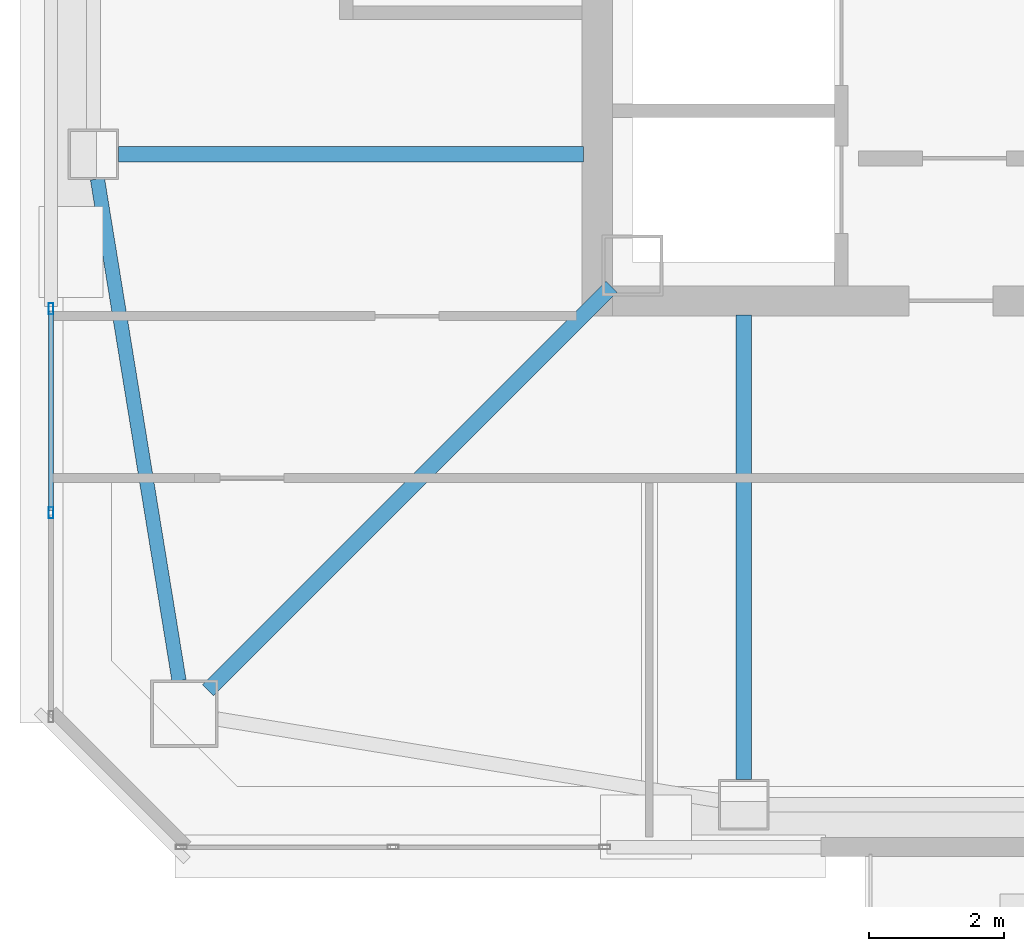
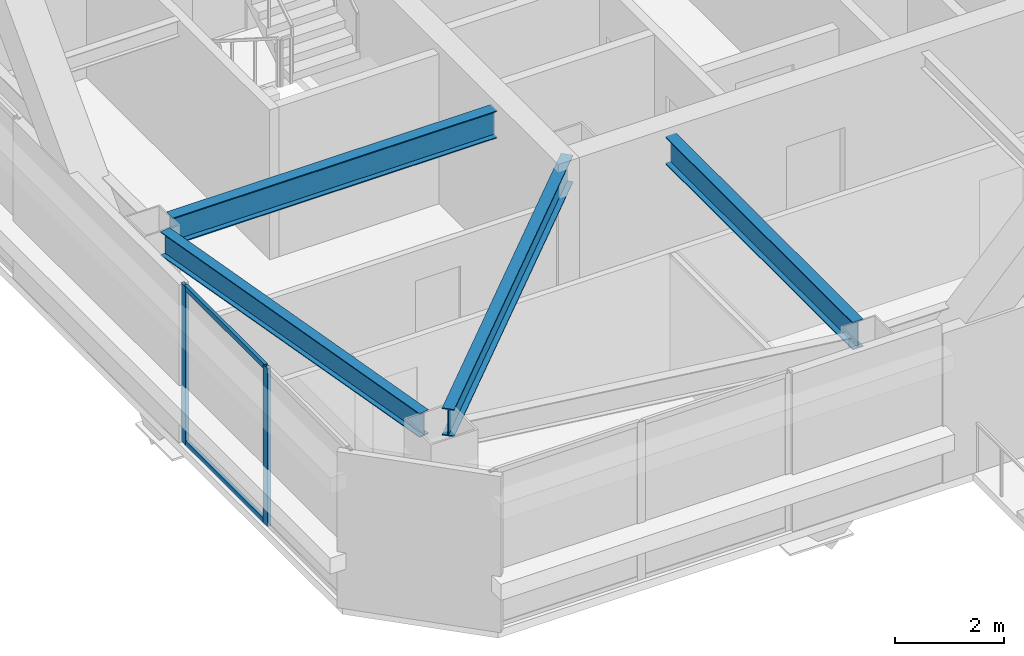
# One storey, part 5 of 39: 4 beams, 4 members, 1 element without a shape of its own.
"""IFC4 building model written with IfcOpenShell, lengths in metres."""

from ifc_helpers import new_model, si_unit, direction, frame, origin, origin_2d, place, context, subcontext, project, spatial, hollow_rectangle, i_section, extrude, material, material_profile, profile_set, type_object, element, aggregate, save


model = new_model("IFC4")

# Units and contexts
model_context = context("Model", 3, precision=1e-05, world=origin(), true_north=direction((0.0, 1.0)))
body_context = subcontext(model_context, "Body", "Model", "MODEL_VIEW")
ifc_project = project(units=[si_unit("LENGTHUNIT", "METRE"), si_unit("AREAUNIT", "SQUARE_METRE"), si_unit("VOLUMEUNIT", "CUBIC_METRE"), si_unit("PLANEANGLEUNIT", "RADIAN"), si_unit("MASSUNIT", "GRAM", prefix="KILO")], contexts=[model_context])

# Site, building, storey
site_placement = place(None, origin())
site = spatial("IfcSite", under=ifc_project, at=site_placement, CompositionType="ELEMENT")
building_placement = place(site_placement, origin())
building = spatial("IfcBuilding", under=site, at=building_placement, Name="Tashvorn Skyway Center", CompositionType="ELEMENT")
storey_placement = place(building_placement, frame((0.0, 0.0, 239.699951171875)))
storey = spatial("IfcBuildingStorey", under=building, at=storey_placement, Name="L65", CompositionType="ELEMENT", Elevation=239.699951171875)

# Beams
ifc_material_1 = material(Name="Steel ASTM A992 Grade 50", Category="steel")
ifc_material_profile_1 = material_profile(ifc_material_1, i_section(OverallWidth=0.22998046875, OverallDepth=0.616943359375, WebThickness=0.01318359375, FlangeThickness=0.022216796875, at=origin_2d()), Name="W24X94")
ifc_profile_set_1 = profile_set([ifc_material_profile_1], Name="Steel ASTM A992 Grade 50")
beam_type_1 = type_object("IfcBeamType", Name="BM-BEAM-W24X94", PredefinedType="BEAM", material=ifc_profile_set_1)
beam_1_placement = place(storey_placement, frame((28.64990234375, 18.64990234375, 3.0615234375), z_axis=(0.707106781187, 0.707106781187, 0.0), x_axis=(-0.707106781187, 0.707106781187, 0.0)))
element("IfcBeam", 1, at=beam_1_placement, inside=storey, type_object=beam_type_1, Name="Tower 1 L65 Primary Floor Girder MC-SW", PredefinedType="BEAM", context=body_context, shape_type="SweptSolid", body=[
    extrude(i_section(OverallWidth=0.22998046875, OverallDepth=0.616943359375, WebThickness=0.01318359375, FlangeThickness=0.022216796875, at=origin_2d()), origin(), (0.0, 0.0, 1.0), 8.464599609375),
])
for number, where, z_axis, x_axis, name in (
    (2, (36.60009765625, 17.320068359375, 3.0615234375), (0.0, 1.0, 0.0), (-1.0, 0.0, 0.0), "Tower 1 L65 Primary Floor Girder FC-S1"),
    (3, (27.320068359375, 26.60009765625, 3.0615234375), (1.0, 0.0, 0.0), (0.0, 1.0, 0.0), "Tower 1 L65 Primary Floor Girder FC-W2"),
):
    element("IfcBeam", number, at=place(storey_placement, frame(where, z_axis=z_axis, x_axis=x_axis)), inside=storey, type_object=beam_type_1, Name=name, PredefinedType="BEAM", context=body_context, shape_type="SweptSolid", body=[
        extrude(i_section(OverallWidth=0.22998046875, OverallDepth=0.616943359375, WebThickness=0.01318359375, FlangeThickness=0.022216796875, at=origin_2d()), origin(), (0.0, 0.0, 1.0), 6.89990234375),
    ])
ifc_material_profile_2 = material_profile(ifc_material_1, i_section(OverallWidth=0.2109375, OverallDepth=0.5390625, WebThickness=0.01171875, FlangeThickness=0.018798828125, at=origin_2d()), Name="W21X73")
ifc_profile_set_2 = profile_set([ifc_material_profile_2], Name="Steel ASTM A992 Grade 50")
beam_type_2 = type_object("IfcBeamType", Name="BM-SPANDREL-W21X73", PredefinedType="SPANDREL", material=ifc_profile_set_2)
beam_2_placement = place(storey_placement, frame((27.009521484375, 26.23486328125, 3.1005859375), z_axis=(0.160514302677, -0.987033514444, 0.0), x_axis=(0.987033514444, 0.160514302677, 0.0)))
element("IfcBeam", 4, at=beam_2_placement, inside=storey, type_object=beam_type_2, Name="Tower 1 L65 Spandrel Beam 12", PredefinedType="SPANDREL", context=body_context, shape_type="SweptSolid", body=[
    extrude(i_section(OverallWidth=0.2109375, OverallDepth=0.5390625, WebThickness=0.01171875, FlangeThickness=0.018798828125, at=origin_2d()), origin(), (0.0, 0.0, 1.0), 7.544189453125),
])

# Curtain wall, members
ifc_material_2 = material(Name="Thermally broken bronze-anodized aluminium 6063-T6", Category="aluminium")
curtain_wall_type = type_object("IfcCurtainWallType", Name="CW-CW-Z5", PredefinedType="NOTDEFINED", material=ifc_material_2)
curtain_wall_placement = place(storey_placement, origin())
curtain_wall = element("IfcCurtainWall", 5, at=curtain_wall_placement, inside=storey, type_object=curtain_wall_type, Name="Tower 1 L65 West Unitised Curtain Wall Glazing Group 1", PredefinedType="NOTDEFINED")
ifc_material_profile_3 = material_profile(ifc_material_2, hollow_rectangle(XDim=0.070068359375, YDim=0.1650390625, WallThickness=0.00390625, at=origin_2d()), Name="ALU-MULL-70x165")
ifc_profile_set_3 = profile_set([ifc_material_profile_3], Name="Thermally broken bronze-anodized aluminium 6063-T6")
member_type_1 = type_object("IfcMemberType", Name="CWM-CW-Z5", PredefinedType="MULLION", material=ifc_profile_set_3)
member_1_placement = place(storey_placement, frame((26.320068359375, 21.2822265625, 0.0), z_axis=(0.0, 0.0, 1.0), x_axis=(-1.0, 0.0, 0.0)))
member_1 = element("IfcMember", 6, at=member_1_placement, type_object=member_type_1, Name="CW-Z5 mullion 2", PredefinedType="MULLION", context=body_context, shape_type="SweptSolid", body=[
    extrude(hollow_rectangle(XDim=0.070068359375, YDim=0.1650390625, WallThickness=0.00390625, at=origin_2d()), origin(), (0.0, 0.0, 1.0), 3.550048828125),
])
member_2_placement = place(storey_placement, frame((26.320068359375, 24.309326171875, 0.0), z_axis=(0.0, 0.0, 1.0), x_axis=(-1.0, 0.0, 0.0)))
member_2 = element("IfcMember", 7, at=member_2_placement, type_object=member_type_1, Name="CW-Z5 mullion 3", PredefinedType="MULLION", context=body_context, shape_type="SweptSolid", body=[
    extrude(hollow_rectangle(XDim=0.070068359375, YDim=0.1650390625, WallThickness=0.00390625, at=origin_2d()), origin(), (0.0, 0.0, 1.0), 3.550048828125),
])
ifc_material_profile_4 = material_profile(ifc_material_2, hollow_rectangle(XDim=0.070068359375, YDim=0.114990234375, WallThickness=0.00390625, at=origin_2d()), Name="ALU-TRAN-70x115")
ifc_profile_set_4 = profile_set([ifc_material_profile_4], Name="Thermally broken bronze-anodized aluminium 6063-T6")
member_type_2 = type_object("IfcMemberType", Name="CWT-CW-Z5", PredefinedType="USERDEFINED", material=ifc_profile_set_4)
member_3_placement = place(storey_placement, frame((26.320068359375, 21.317138671875, 0.03515625), z_axis=(0.0, 1.0, 0.0), x_axis=(-1.0, 0.0, 0.0)))
member_3 = element("IfcMember", 8, at=member_3_placement, type_object=member_type_2, Name="CW-Z5 transom 2.1", ObjectType="TRANSOM", PredefinedType="USERDEFINED", context=body_context, shape_type="SweptSolid", body=[
    extrude(hollow_rectangle(XDim=0.070068359375, YDim=0.114990234375, WallThickness=0.00390625, at=origin_2d()), origin(), (0.0, 0.0, 1.0), 2.957275390625),
])
member_4_placement = place(storey_placement, frame((26.320068359375, 21.317138671875, 3.51513671875), z_axis=(0.0, 1.0, 0.0), x_axis=(-1.0, 0.0, 0.0)))
member_4 = element("IfcMember", 9, at=member_4_placement, type_object=member_type_2, Name="CW-Z5 transom 2.2", ObjectType="TRANSOM", PredefinedType="USERDEFINED", context=body_context, shape_type="SweptSolid", body=[
    extrude(hollow_rectangle(XDim=0.070068359375, YDim=0.114990234375, WallThickness=0.00390625, at=origin_2d()), origin(), (0.0, 0.0, 1.0), 2.957275390625),
])
aggregate(curtain_wall, [member_1, member_2, member_3, member_4])

save(model, "model.ifc")
